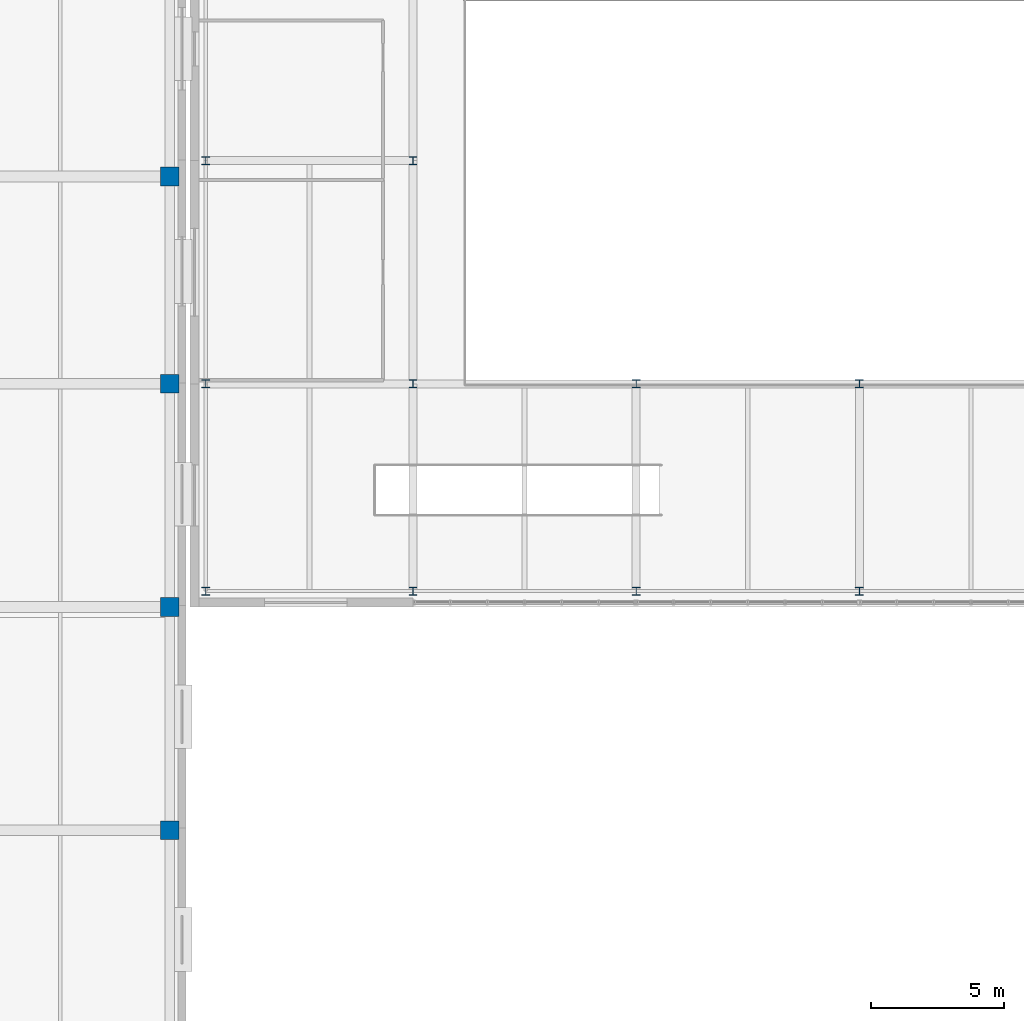
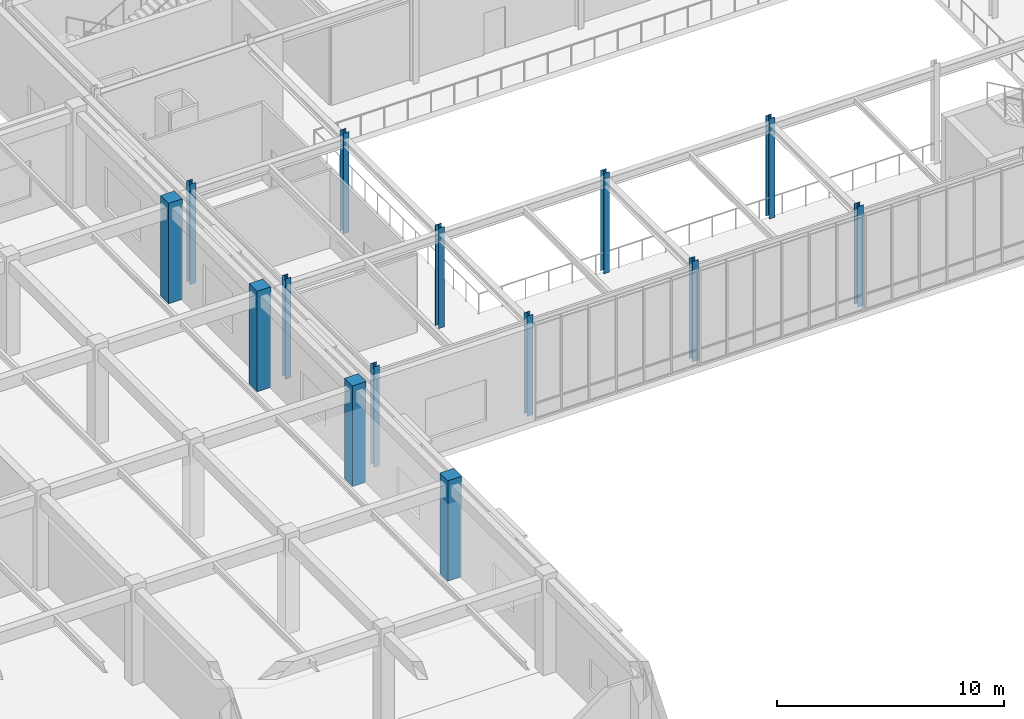
# One storey, part 8 of 139: 14 columns.
"""IFC4 building model written with IfcOpenShell, lengths in metres."""

from ifc_helpers import new_model, si_unit, direction, frame, origin, origin_2d, place, context, subcontext, project, spatial, rectangle, i_section, extrude, material, material_profile, profile_set, type_object, element, save


model = new_model("IFC4")

# Units and contexts
model_context = context("Model", 3, precision=1e-05, world=origin(), true_north=direction((0.0, 1.0)))
body_context = subcontext(model_context, "Body", "Model", "MODEL_VIEW")
ifc_project = project(units=[si_unit("LENGTHUNIT", "METRE"), si_unit("AREAUNIT", "SQUARE_METRE"), si_unit("VOLUMEUNIT", "CUBIC_METRE"), si_unit("PLANEANGLEUNIT", "RADIAN"), si_unit("MASSUNIT", "GRAM", prefix="KILO")], contexts=[model_context])

# Site, building, storey
site_placement = place(None, origin())
site = spatial("IfcSite", under=ifc_project, at=site_placement, CompositionType="ELEMENT")
building_placement = place(site_placement, origin())
building = spatial("IfcBuilding", under=site, at=building_placement, Name="Zayran Congress Hotel", CompositionType="ELEMENT")
storey_placement = place(building_placement, frame((0.0, 0.0, 5.39990234375)))
storey = spatial("IfcBuildingStorey", under=building, at=storey_placement, Name="L01", CompositionType="ELEMENT", Elevation=5.39990234375)

# Columns
ifc_material_1 = material(Name="Concrete C40/50", Category="concrete")
ifc_material_profile_1 = material_profile(ifc_material_1, rectangle(XDim=0.699951171875, YDim=0.699951171875, at=origin_2d()), Name="RC 700x700")
ifc_profile_set_1 = profile_set([ifc_material_profile_1], Name="Concrete C40/50")
column_type_1 = type_object("IfcColumnType", Name="TP-CL-03", PredefinedType="COLUMN", material=ifc_profile_set_1)
for number, where, z_axis, x_axis, name in (
    (1, (142.050048828125, 76.0, 0.0), (0.0, 0.0, 1.0), (1.0, 0.0, 0.0), "COL-V4-L01-0788"),
    (2, (142.050048828125, 84.39990234375, 0.0), (0.0, 0.0, 1.0), (1.0, 0.0, 0.0), "COL-V4-L01-0789"),
    (3, (142.050048828125, 92.800048828125, 0.0), (0.0, 0.0, 1.0), (1.0, 0.0, 0.0), "COL-V4-L01-0790"),
    (4, (142.050048828125, 100.60009765625, 0.0), (0.0, 0.0, 1.0), (1.0, 0.0, 0.0), "COL-V4-L01-0791"),
):
    element("IfcColumn", number, at=place(storey_placement, frame(where, z_axis=z_axis, x_axis=x_axis)), inside=storey, type_object=column_type_1, Name=name, PredefinedType="COLUMN", context=body_context, shape_type="SweptSolid", body=[
        extrude(rectangle(XDim=0.699951171875, YDim=0.699951171875, at=origin_2d()), origin(), (0.0, 0.0, 1.0), 5.400146484375),
    ])
ifc_material_2 = material(Name="Steel S355", Category="steel")
ifc_material_profile_2 = material_profile(ifc_material_2, i_section(OverallWidth=0.300048828125, OverallDepth=0.300048828125, WebThickness=0.010986328125, FlangeThickness=0.01904296875, at=origin_2d()), Name="HEB 300")
ifc_profile_set_2 = profile_set([ifc_material_profile_2], Name="Steel S355")
column_type_2 = type_object("IfcColumnType", Name="TP-CL-08", PredefinedType="COLUMN", material=ifc_profile_set_2)
for number, where, z_axis, x_axis, name in (
    (5, (143.39990234375, 85.0, 0.0), (0.0, 0.0, 1.0), (1.0, 0.0, 0.0), "COL-V2-L01-0553"),
    (6, (143.39990234375, 92.800048828125, 0.0), (0.0, 0.0, 1.0), (1.0, 0.0, 0.0), "COL-V2-L01-0554"),
    (7, (143.39990234375, 101.199951171875, 0.0), (0.0, 0.0, 1.0), (1.0, 0.0, 0.0), "COL-V2-L01-0555"),
    (8, (151.199951171875, 85.0, 0.0), (0.0, 0.0, 1.0), (1.0, 0.0, 0.0), "COL-V2-L01-0558"),
    (9, (151.199951171875, 92.800048828125, 0.0), (0.0, 0.0, 1.0), (1.0, 0.0, 0.0), "COL-V2-L01-0559"),
    (10, (151.199951171875, 101.199951171875, 0.0), (0.0, 0.0, 1.0), (1.0, 0.0, 0.0), "COL-V2-L01-0560"),
    (11, (159.60009765625, 85.0, 0.0), (0.0, 0.0, 1.0), (1.0, 0.0, 0.0), "COL-V2-L01-0563"),
    (12, (159.60009765625, 92.800048828125, 0.0), (0.0, 0.0, 1.0), (1.0, 0.0, 0.0), "COL-V2-L01-0564"),
    (13, (168.0, 85.0, 0.0), (0.0, 0.0, 1.0), (1.0, 0.0, 0.0), "COL-V2-L01-0567"),
    (14, (168.0, 92.800048828125, 0.0), (0.0, 0.0, 1.0), (1.0, 0.0, 0.0), "COL-V2-L01-0568"),
):
    element("IfcColumn", number, at=place(storey_placement, frame(where, z_axis=z_axis, x_axis=x_axis)), inside=storey, type_object=column_type_2, Name=name, PredefinedType="COLUMN", context=body_context, shape_type="SweptSolid", body=[
        extrude(i_section(OverallWidth=0.300048828125, OverallDepth=0.300048828125, WebThickness=0.010986328125, FlangeThickness=0.01904296875, at=origin_2d()), origin(), (0.0, 0.0, 1.0), 5.400146484375),
    ])

save(model, "model.ifc")
